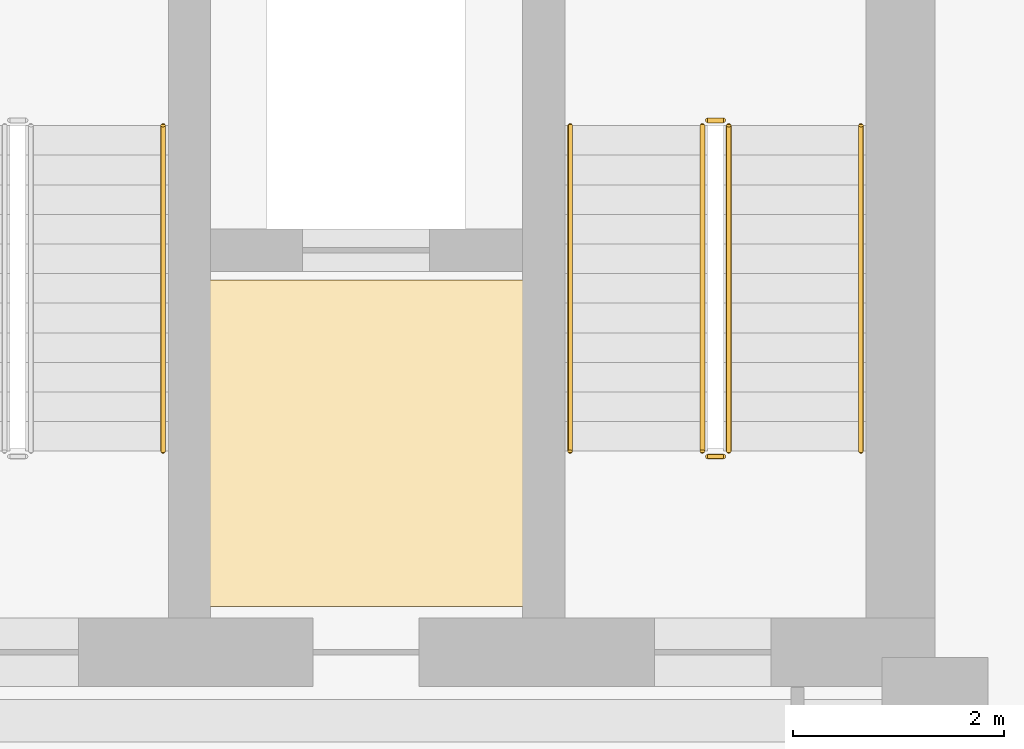
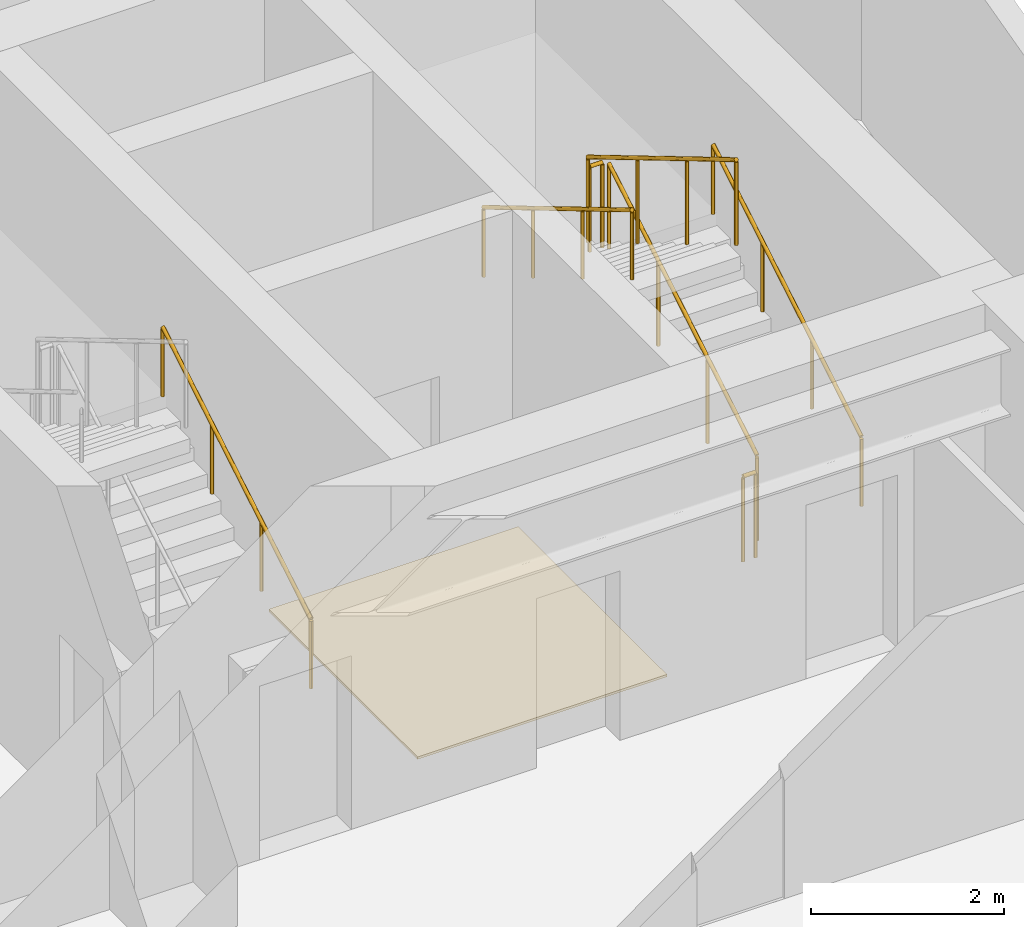
# One storey, part 26 of 26: 7 railings, 1 covering.
"""IFC4 building model written with IfcOpenShell, lengths in metres."""

from ifc_helpers import new_model, si_unit, direction, frame, origin, origin_2d, place, context, subcontext, project, spatial, polyline, circle, outline, extrude, material, layer, layer_set, type_object, element, save


model = new_model("IFC4")

# Units and contexts
model_context = context("Model", 3, precision=1e-05, world=origin(), true_north=direction((0.0, 1.0)))
body_context = subcontext(model_context, "Body", "Model", "MODEL_VIEW")
ifc_project = project(units=[si_unit("LENGTHUNIT", "METRE"), si_unit("AREAUNIT", "SQUARE_METRE"), si_unit("VOLUMEUNIT", "CUBIC_METRE"), si_unit("PLANEANGLEUNIT", "RADIAN"), si_unit("MASSUNIT", "GRAM", prefix="KILO")], contexts=[model_context])

# Site, building, storey
site_placement = place(None, origin())
site = spatial("IfcSite", under=ifc_project, at=site_placement, CompositionType="ELEMENT")
building_placement = place(site_placement, origin())
building = spatial("IfcBuilding", under=site, at=building_placement, Name="Kravanh Interchange Tower", CompositionType="ELEMENT")
storey_placement = place(building_placement, frame((0.0, 0.0, 112.0)))
storey = spatial("IfcBuildingStorey", under=building, at=storey_placement, Name="L26", CompositionType="ELEMENT", Elevation=112.0)

# Covering
ifc_material_1 = material(Name="Cementitious Terrazzo Tile")
ifc_layer_1 = layer(ifc_material_1, 0.030029296875)
ifc_layer_set_1 = layer_set([ifc_layer_1], Name="Honed Terrazzo Lobby Flooring 30mm")
covering_type = type_object("IfcCoveringType", Name="Honed Terrazzo Lobby Flooring 30mm", PredefinedType="FLOORING", material=ifc_layer_set_1)
covering_placement = place(storey_placement, origin())
element("IfcCovering", 1, at=covering_placement, inside=storey, type_object=covering_type, Name="L26 Service Lift Lobby Floor Finish", PredefinedType="FLOORING", context=body_context, shape_type="SweptSolid", body=[
    extrude(outline(polyline([(59.6298828125, 41.52001953125), (62.6201171875, 41.52001953125), (62.6201171875, 38.429931640625), (59.6298828125, 38.429931640625), (59.6298828125, 41.52001953125)])), origin(), (0.0, 0.0, 1.0), 0.030029296875),
])

# Railings
ifc_material_2 = material(Name="Structural Steel S355", Category="steel")
ifc_layer_2 = layer(ifc_material_2, 0.050048828125)
ifc_layer_set_2 = layer_set([ifc_layer_2], Name="Stair Well Guardrail Structural Steel S355 1100mm")
railing_type_1 = type_object("IfcRailingType", Name="Stair Well Guardrail Structural Steel S355 1100mm", PredefinedType="GUARDRAIL", material=ifc_layer_set_2)
railing_1_placement = place(storey_placement, frame((64.550048828125, 39.89990234375, 0.166748046875)))
element("IfcRailing", 2, at=railing_1_placement, inside=storey, type_object=railing_type_1, Name="L26 ST1 stair guard 1", PredefinedType="GUARDRAIL", context=body_context, shape_type="SweptSolid", body=[
    extrude(circle(Radius=0.02392578125, at=origin_2d()), frame((0.0, 0.0, 1.076171875), z_axis=(0.0, 0.859308565015, 0.511457515432), x_axis=(-1.0, 0.0, 0.0)), (0.0, 0.0, 1.0), 3.58447265625),
    extrude(circle(Radius=0.02099609375, at=origin_2d()), origin(), (0.0, 0.0, 1.0), 1.052001953125),
    extrude(circle(Radius=0.02099609375, at=origin_2d()), frame((0.0, 1.026611328125, 0.611083984375)), (0.0, 0.0, 1.0), 1.052001953125),
    extrude(circle(Radius=0.02099609375, at=origin_2d()), frame((0.0, 2.053466796875, 1.22216796875)), (0.0, 0.0, 1.0), 1.052001953125),
    extrude(circle(Radius=0.02099609375, at=origin_2d()), frame((0.0, 3.080078125, 1.833251953125)), (0.0, 0.0, 1.0), 1.052001953125),
])
railing_2_placement = place(storey_placement, frame((64.5, 43.030029296875, 2.0)))
element("IfcRailing", 3, at=railing_2_placement, inside=storey, type_object=railing_type_1, Name="L26 ST1 stair guard 2", PredefinedType="GUARDRAIL", context=body_context, shape_type="SweptSolid", body=[
    extrude(circle(Radius=0.02392578125, at=origin_2d()), frame((0.0, 0.0, 1.076171875), z_axis=(-1.0, 0.0, 0.0), x_axis=(0.0, -1.0, 0.0)), (0.0, 0.0, 1.0), 0.14990234375),
    extrude(circle(Radius=0.02099609375, at=origin_2d()), origin(), (0.0, 0.0, 1.0), 1.052001953125),
    extrude(circle(Radius=0.02099609375, at=origin_2d()), frame((-0.14990234375, 0.0, 0.0)), (0.0, 0.0, 1.0), 1.052001953125),
])
railing_3_placement = place(storey_placement, frame((64.300048828125, 42.97998046875, 2.166748046875)))
element("IfcRailing", 4, at=railing_3_placement, inside=storey, type_object=railing_type_1, Name="L26 ST1 stair guard 3", PredefinedType="GUARDRAIL", context=body_context, shape_type="SweptSolid", body=[
    extrude(circle(Radius=0.02392578125, at=origin_2d()), frame((0.0, 0.0, 1.076171875), z_axis=(0.0, -0.859308565015, 0.511457515432), x_axis=(1.0, 0.0, 0.0)), (0.0, 0.0, 1.0), 3.58447265625),
    extrude(circle(Radius=0.02099609375, at=origin_2d()), origin(), (0.0, 0.0, 1.0), 1.052001953125),
    extrude(circle(Radius=0.02099609375, at=origin_2d()), frame((0.0, -1.026611328125, 0.611083984375)), (0.0, 0.0, 1.0), 1.052001953125),
    extrude(circle(Radius=0.02099609375, at=origin_2d()), frame((0.0, -2.053466796875, 1.22216796875)), (0.0, 0.0, 1.0), 1.052001953125),
    extrude(circle(Radius=0.02099609375, at=origin_2d()), frame((0.0, -3.080078125, 1.833251953125)), (0.0, 0.0, 1.0), 1.052001953125),
])
railing_4_placement = place(storey_placement, frame((64.5, 39.85009765625, 0.0)))
element("IfcRailing", 5, at=railing_4_placement, inside=storey, type_object=railing_type_1, Name="L26 ST1 stair guard 4", PredefinedType="GUARDRAIL", context=body_context, shape_type="SweptSolid", body=[
    extrude(circle(Radius=0.02392578125, at=origin_2d()), frame((0.0, 0.0, 1.076171875), z_axis=(-1.0, 0.0, 0.0), x_axis=(0.0, -1.0, 0.0)), (0.0, 0.0, 1.0), 0.14990234375),
    extrude(circle(Radius=0.02099609375, at=origin_2d()), origin(), (0.0, 0.0, 1.0), 1.052001953125),
    extrude(circle(Radius=0.02099609375, at=origin_2d()), frame((-0.14990234375, 0.0, 0.0)), (0.0, 0.0, 1.0), 1.052001953125),
])
ifc_material_3 = material(Name="Stainless Steel 304", Category="steel")
ifc_layer_3 = layer(ifc_material_3, 0.044921875)
ifc_layer_set_3 = layer_set([ifc_layer_3], Name="Tubular Stair Handrail Stainless 304 900mm")
railing_type_2 = type_object("IfcRailingType", Name="Tubular Stair Handrail Stainless 304 900mm", PredefinedType="HANDRAIL", material=ifc_layer_set_3)
railing_5_placement = place(storey_placement, frame((65.800048828125, 39.89990234375, 0.166748046875)))
element("IfcRailing", 6, at=railing_5_placement, inside=storey, type_object=railing_type_2, Name="L26 ST1 stair handrail 1", PredefinedType="HANDRAIL", context=body_context, shape_type="SweptSolid", body=[
    extrude(circle(Radius=0.02392578125, at=origin_2d()), frame((0.0, 0.0, 0.8759765625), z_axis=(0.0, 0.859308565015, 0.511457515432), x_axis=(-1.0, 0.0, 0.0)), (0.0, 0.0, 1.0), 3.58447265625),
    extrude(circle(Radius=0.02099609375, at=origin_2d()), origin(), (0.0, 0.0, 1.0), 0.851806640625),
    extrude(circle(Radius=0.02099609375, at=origin_2d()), frame((0.0, 1.026611328125, 0.611083984375)), (0.0, 0.0, 1.0), 0.851806640625),
    extrude(circle(Radius=0.02099609375, at=origin_2d()), frame((0.0, 2.053466796875, 1.22216796875)), (0.0, 0.0, 1.0), 0.851806640625),
    extrude(circle(Radius=0.02099609375, at=origin_2d()), frame((0.0, 3.080078125, 1.833251953125)), (0.0, 0.0, 1.0), 0.851806640625),
])
railing_6_placement = place(storey_placement, frame((63.050048828125, 42.97998046875, 2.166748046875)))
element("IfcRailing", 7, at=railing_6_placement, inside=storey, type_object=railing_type_2, Name="L26 ST1 stair handrail 2", PredefinedType="HANDRAIL", context=body_context, shape_type="SweptSolid", body=[
    extrude(circle(Radius=0.02392578125, at=origin_2d()), frame((0.0, 0.0, 0.8759765625), z_axis=(0.0, -0.859308565015, 0.511457515432), x_axis=(1.0, 0.0, 0.0)), (0.0, 0.0, 1.0), 3.58447265625),
    extrude(circle(Radius=0.02099609375, at=origin_2d()), origin(), (0.0, 0.0, 1.0), 0.851806640625),
    extrude(circle(Radius=0.02099609375, at=origin_2d()), frame((0.0, -1.026611328125, 0.611083984375)), (0.0, 0.0, 1.0), 0.851806640625),
    extrude(circle(Radius=0.02099609375, at=origin_2d()), frame((0.0, -2.053466796875, 1.22216796875)), (0.0, 0.0, 1.0), 0.851806640625),
    extrude(circle(Radius=0.02099609375, at=origin_2d()), frame((0.0, -3.080078125, 1.833251953125)), (0.0, 0.0, 1.0), 0.851806640625),
])
railing_7_placement = place(storey_placement, frame((59.199951171875, 39.89990234375, 0.166748046875)))
element("IfcRailing", 8, at=railing_7_placement, inside=storey, type_object=railing_type_2, Name="L26 ST2 stair handrail 1", PredefinedType="HANDRAIL", context=body_context, shape_type="SweptSolid", body=[
    extrude(circle(Radius=0.02392578125, at=origin_2d()), frame((0.0, 0.0, 0.8759765625), z_axis=(0.0, 0.859308565015, 0.511457515432), x_axis=(-1.0, 0.0, 0.0)), (0.0, 0.0, 1.0), 3.58447265625),
    extrude(circle(Radius=0.02099609375, at=origin_2d()), origin(), (0.0, 0.0, 1.0), 0.851806640625),
    extrude(circle(Radius=0.02099609375, at=origin_2d()), frame((0.0, 1.026611328125, 0.611083984375)), (0.0, 0.0, 1.0), 0.851806640625),
    extrude(circle(Radius=0.02099609375, at=origin_2d()), frame((0.0, 2.053466796875, 1.22216796875)), (0.0, 0.0, 1.0), 0.851806640625),
    extrude(circle(Radius=0.02099609375, at=origin_2d()), frame((0.0, 3.080078125, 1.833251953125)), (0.0, 0.0, 1.0), 0.851806640625),
])

save(model, "model.ifc")
